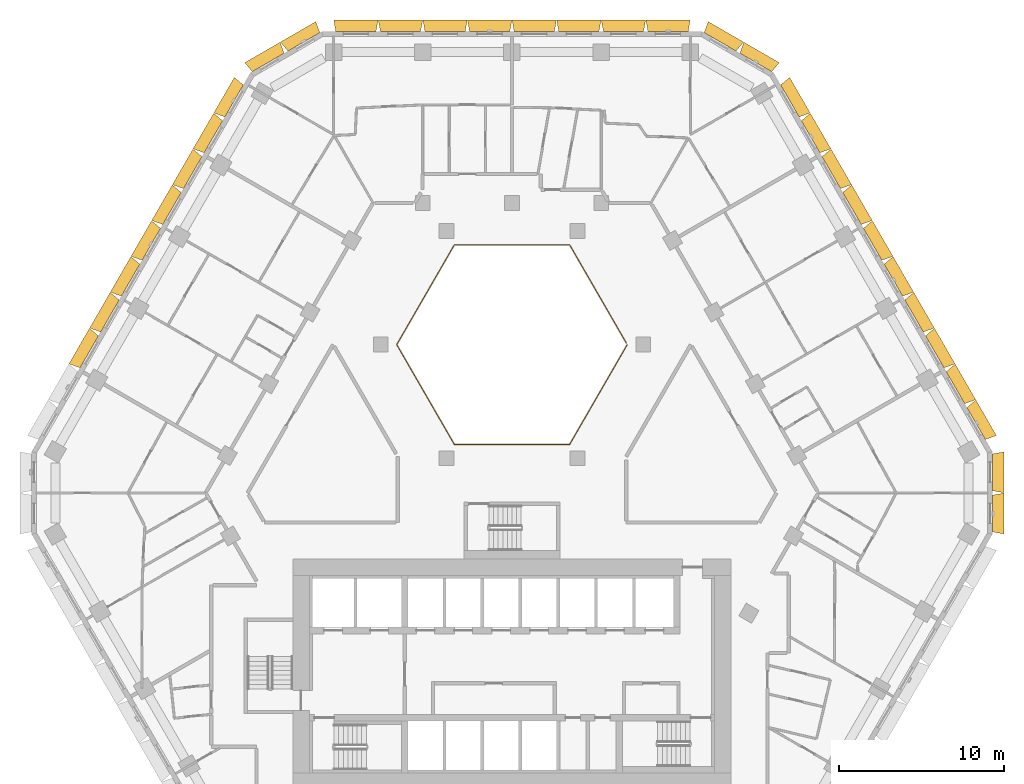
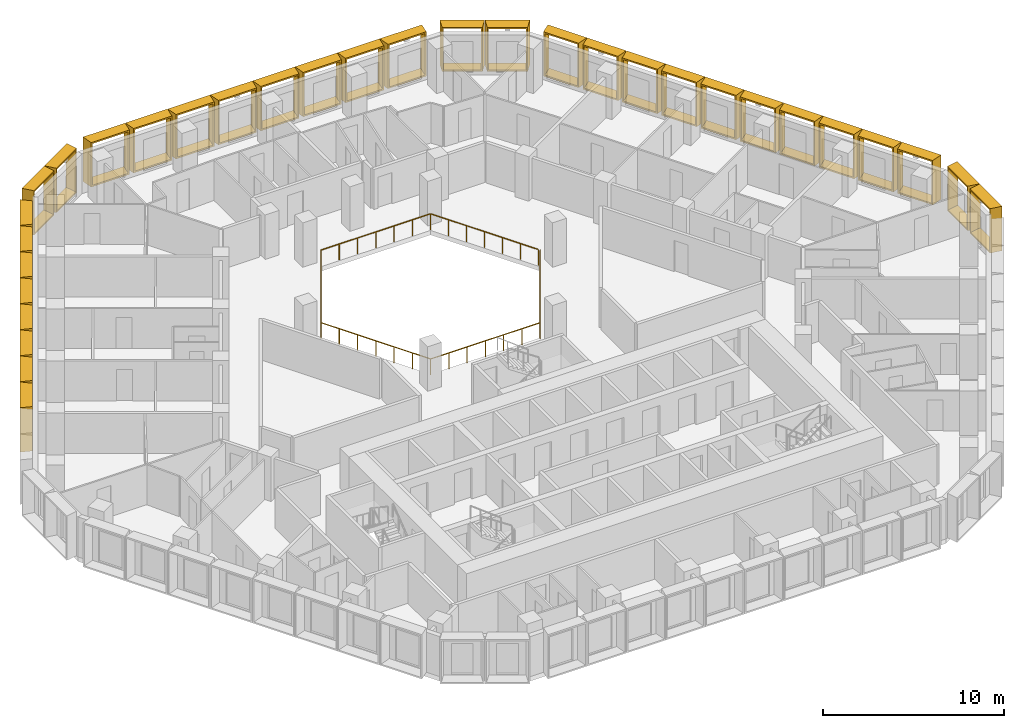
# One storey, part 18 of 18: 32 shading devices, 1 railing.
"""IFC4 building model written with IfcOpenShell, lengths in metres."""

from ifc_helpers import new_model, entity, si_unit, direction, frame, origin, origin_2d, place, context, subcontext, project, spatial, rectangle, extrude, source, transform, mapped, material, type_object, type_shapes, element, save


model = new_model("IFC4")

# Units and contexts
model_context = context("Model", 3, precision=1e-05, world=origin(), true_north=direction((0.0, 1.0)))
body_context = subcontext(model_context, "Body", "Model", "MODEL_VIEW")
ifc_project = project(units=[si_unit("LENGTHUNIT", "METRE"), si_unit("AREAUNIT", "SQUARE_METRE"), si_unit("VOLUMEUNIT", "CUBIC_METRE"), si_unit("PLANEANGLEUNIT", "RADIAN"), si_unit("MASSUNIT", "GRAM", prefix="KILO")], contexts=[model_context])

# Site, building, storey
site_placement = place(None, origin())
site = spatial("IfcSite", under=ifc_project, at=site_placement, CompositionType="ELEMENT")
building_placement = place(site_placement, origin())
building = spatial("IfcBuilding", under=site, at=building_placement, Name="Beryl Residences", CompositionType="ELEMENT")
storey_placement = place(building_placement, frame((0.0, 0.0, 87.0)))
storey = spatial("IfcBuildingStorey", under=building, at=storey_placement, Name="L26", CompositionType="ELEMENT", Elevation=87.0)

# Railing
ifc_material_1 = material(Name="Stainless steel balustrade with glass infill", Category="steel")
railing_type = type_object("IfcRailingType", Name="EG1 edge guard 1100 mm", PredefinedType="GUARDRAIL", material=ifc_material_1)
railing_placement = place(storey_placement, frame((6.9970703125, 8.0, 0.0)))
element("IfcRailing", 1, at=railing_placement, inside=storey, type_object=railing_type, Name="L26 atrium guard", PredefinedType="GUARDRAIL", context=body_context, shape_type="SweptSolid", body=[
    extrude(rectangle(XDim=0.048095703125, YDim=0.048095703125, at=origin_2d()), frame((0.0, 0.0, 1.076171875), z_axis=(-0.499921796684, -0.866070549782, 0.0), x_axis=(0.866070549782, -0.499921796684, 0.0)), (0.0, 0.0, 1.0), 6.9970703125),
    extrude(rectangle(XDim=0.048095703125, YDim=0.048095703125, at=origin_2d()), frame((-3.498046875, -6.06005859375, 1.076171875), z_axis=(-1.0, 0.0, 0.0), x_axis=(0.0, -1.0, 0.0)), (0.0, 0.0, 1.0), 6.998046875),
    extrude(rectangle(XDim=0.048095703125, YDim=0.048095703125, at=origin_2d()), frame((-10.49609375, -6.06005859375, 1.076171875), z_axis=(-0.499921796684, 0.866070549782, 0.0), x_axis=(-0.866070549782, -0.499921796684, 0.0)), (0.0, 0.0, 1.0), 6.9970703125),
    extrude(rectangle(XDim=0.048095703125, YDim=0.048095703125, at=origin_2d()), frame((-13.994140625, 0.0, 1.076171875), z_axis=(0.499921796684, 0.866070549782, 0.0), x_axis=(-0.866070549782, 0.499921796684, 0.0)), (0.0, 0.0, 1.0), 6.9970703125),
    extrude(rectangle(XDim=0.048095703125, YDim=0.048095703125, at=origin_2d()), frame((-10.49609375, 6.06005859375, 1.076171875), z_axis=(1.0, 0.0, 0.0), x_axis=(0.0, 1.0, 0.0)), (0.0, 0.0, 1.0), 6.998046875),
    extrude(rectangle(XDim=0.048095703125, YDim=0.048095703125, at=origin_2d()), frame((-3.498046875, 6.06005859375, 1.076171875), z_axis=(0.499919131929, -0.866072087953, 0.0), x_axis=(0.866072087953, 0.499919131929, 0.0)), (0.0, 0.0, 1.0), 6.877197265625),
    extrude(rectangle(XDim=0.0419921875, YDim=0.0419921875, at=origin_2d()), origin(), (0.0, 0.0, 1.0), 1.052001953125),
    extrude(rectangle(XDim=0.0419921875, YDim=0.0419921875, at=origin_2d()), frame((-0.5830078125, -1.010009765625, 0.0)), (0.0, 0.0, 1.0), 1.052001953125),
    extrude(rectangle(XDim=0.0419921875, YDim=0.0419921875, at=origin_2d()), frame((-1.166015625, -2.02001953125, 0.0)), (0.0, 0.0, 1.0), 1.052001953125),
    extrude(rectangle(XDim=0.0419921875, YDim=0.0419921875, at=origin_2d()), frame((-1.7490234375, -3.030029296875, 0.0)), (0.0, 0.0, 1.0), 1.052001953125),
    extrude(rectangle(XDim=0.0419921875, YDim=0.0419921875, at=origin_2d()), frame((-2.33203125, -4.0400390625, 0.0)), (0.0, 0.0, 1.0), 1.052001953125),
    extrude(rectangle(XDim=0.0419921875, YDim=0.0419921875, at=origin_2d()), frame((-2.9150390625, -5.050048828125, 0.0)), (0.0, 0.0, 1.0), 1.052001953125),
    extrude(rectangle(XDim=0.0419921875, YDim=0.0419921875, at=origin_2d()), frame((-3.498046875, -6.06005859375, 0.0)), (0.0, 0.0, 1.0), 1.052001953125),
    extrude(rectangle(XDim=0.0419921875, YDim=0.0419921875, at=origin_2d()), frame((-4.664306640625, -6.06005859375, 0.0)), (0.0, 0.0, 1.0), 1.052001953125),
    extrude(rectangle(XDim=0.0419921875, YDim=0.0419921875, at=origin_2d()), frame((-5.830810546875, -6.06005859375, 0.0)), (0.0, 0.0, 1.0), 1.052001953125),
    extrude(rectangle(XDim=0.0419921875, YDim=0.0419921875, at=origin_2d()), frame((-6.9970703125, -6.06005859375, 0.0)), (0.0, 0.0, 1.0), 1.052001953125),
    extrude(rectangle(XDim=0.0419921875, YDim=0.0419921875, at=origin_2d()), frame((-8.163330078125, -6.06005859375, 0.0)), (0.0, 0.0, 1.0), 1.052001953125),
    extrude(rectangle(XDim=0.0419921875, YDim=0.0419921875, at=origin_2d()), frame((-9.329833984375, -6.06005859375, 0.0)), (0.0, 0.0, 1.0), 1.052001953125),
    extrude(rectangle(XDim=0.0419921875, YDim=0.0419921875, at=origin_2d()), frame((-10.49609375, -6.06005859375, 0.0)), (0.0, 0.0, 1.0), 1.052001953125),
    extrude(rectangle(XDim=0.0419921875, YDim=0.0419921875, at=origin_2d()), frame((-11.0791015625, -5.050048828125, 0.0)), (0.0, 0.0, 1.0), 1.052001953125),
    extrude(rectangle(XDim=0.0419921875, YDim=0.0419921875, at=origin_2d()), frame((-11.662109375, -4.0400390625, 0.0)), (0.0, 0.0, 1.0), 1.052001953125),
    extrude(rectangle(XDim=0.0419921875, YDim=0.0419921875, at=origin_2d()), frame((-12.2451171875, -3.030029296875, 0.0)), (0.0, 0.0, 1.0), 1.052001953125),
    extrude(rectangle(XDim=0.0419921875, YDim=0.0419921875, at=origin_2d()), frame((-12.828125, -2.02001953125, 0.0)), (0.0, 0.0, 1.0), 1.052001953125),
    extrude(rectangle(XDim=0.0419921875, YDim=0.0419921875, at=origin_2d()), frame((-13.4111328125, -1.010009765625, 0.0)), (0.0, 0.0, 1.0), 1.052001953125),
    extrude(rectangle(XDim=0.0419921875, YDim=0.0419921875, at=origin_2d()), frame((-13.994140625, 0.0, 0.0)), (0.0, 0.0, 1.0), 1.052001953125),
    extrude(rectangle(XDim=0.0419921875, YDim=0.0419921875, at=origin_2d()), frame((-13.4111328125, 1.010009765625, 0.0)), (0.0, 0.0, 1.0), 1.052001953125),
    extrude(rectangle(XDim=0.0419921875, YDim=0.0419921875, at=origin_2d()), frame((-12.828125, 2.02001953125, 0.0)), (0.0, 0.0, 1.0), 1.052001953125),
    extrude(rectangle(XDim=0.0419921875, YDim=0.0419921875, at=origin_2d()), frame((-12.2451171875, 3.030029296875, 0.0)), (0.0, 0.0, 1.0), 1.052001953125),
    extrude(rectangle(XDim=0.0419921875, YDim=0.0419921875, at=origin_2d()), frame((-11.662109375, 4.0400390625, 0.0)), (0.0, 0.0, 1.0), 1.052001953125),
    extrude(rectangle(XDim=0.0419921875, YDim=0.0419921875, at=origin_2d()), frame((-11.0791015625, 5.050048828125, 0.0)), (0.0, 0.0, 1.0), 1.052001953125),
    extrude(rectangle(XDim=0.0419921875, YDim=0.0419921875, at=origin_2d()), frame((-10.49609375, 6.06005859375, 0.0)), (0.0, 0.0, 1.0), 1.052001953125),
    extrude(rectangle(XDim=0.0419921875, YDim=0.0419921875, at=origin_2d()), frame((-9.329833984375, 6.06005859375, 0.0)), (0.0, 0.0, 1.0), 1.052001953125),
    extrude(rectangle(XDim=0.0419921875, YDim=0.0419921875, at=origin_2d()), frame((-8.163330078125, 6.06005859375, 0.0)), (0.0, 0.0, 1.0), 1.052001953125),
    extrude(rectangle(XDim=0.0419921875, YDim=0.0419921875, at=origin_2d()), frame((-6.9970703125, 6.06005859375, 0.0)), (0.0, 0.0, 1.0), 1.052001953125),
    extrude(rectangle(XDim=0.0419921875, YDim=0.0419921875, at=origin_2d()), frame((-5.830810546875, 6.06005859375, 0.0)), (0.0, 0.0, 1.0), 1.052001953125),
    extrude(rectangle(XDim=0.0419921875, YDim=0.0419921875, at=origin_2d()), frame((-4.664306640625, 6.06005859375, 0.0)), (0.0, 0.0, 1.0), 1.052001953125),
    extrude(rectangle(XDim=0.0419921875, YDim=0.0419921875, at=origin_2d()), frame((-3.498046875, 6.06005859375, 0.0)), (0.0, 0.0, 1.0), 1.052001953125),
    extrude(rectangle(XDim=0.0419921875, YDim=0.0419921875, at=origin_2d()), frame((-2.925048828125, 5.0673828125, 0.0)), (0.0, 0.0, 1.0), 1.052001953125),
    extrude(rectangle(XDim=0.0419921875, YDim=0.0419921875, at=origin_2d()), frame((-2.35205078125, 4.07470703125, 0.0)), (0.0, 0.0, 1.0), 1.052001953125),
    extrude(rectangle(XDim=0.0419921875, YDim=0.0419921875, at=origin_2d()), frame((-1.779052734375, 3.08203125, 0.0)), (0.0, 0.0, 1.0), 1.052001953125),
    extrude(rectangle(XDim=0.0419921875, YDim=0.0419921875, at=origin_2d()), frame((-1.2060546875, 2.08935546875, 0.0)), (0.0, 0.0, 1.0), 1.052001953125),
    extrude(rectangle(XDim=0.0419921875, YDim=0.0419921875, at=origin_2d()), frame((-0.633056640625, 1.0966796875, 0.0)), (0.0, 0.0, 1.0), 1.052001953125),
    extrude(rectangle(XDim=0.0419921875, YDim=0.0419921875, at=origin_2d()), frame((-0.06005859375, 0.10400390625, 0.0)), (0.0, 0.0, 1.0), 1.052001953125),
])

# Shading devices
ifc_material_2 = material(Name="Aluminium pale anodised", Category="aluminium")
shading_device_type_1 = type_object("IfcShadingDeviceType", Name="FR250-70A OUTER SKIN frame 700 mm deep, splay 10/10 deg, 2500 x 3000 mm cell", PredefinedType="USERDEFINED", material=ifc_material_2)
cartesian_point_1 = entity("IfcCartesianPoint", [-1.116455078125, 0.0])
cartesian_point_2 = entity("IfcCartesianPoint", [-1.03515625, 0.10009765625])
cartesian_point_3 = entity("IfcCartesianPoint", [-1.239990234375, 0.0])
cartesian_point_4 = entity("IfcCartesianPoint", [-1.15869140625, 0.10009765625])
shared_shape_1 = source(origin(), body_context, "Body", "SweptSolid", [
    entity("IfcExtrudedAreaSolidTapered", entity("IfcArbitraryProfileDefWithVoids", "AREA", None, entity("IfcPolyline", [cartesian_point_1, entity("IfcCartesianPoint", [1.116455078125, 0.0]), entity("IfcCartesianPoint", [1.116455078125, 3.0]), entity("IfcCartesianPoint", [-1.116455078125, 3.0]), cartesian_point_1]), [entity("IfcPolyline", [cartesian_point_2, entity("IfcCartesianPoint", [1.03515625, 0.10009765625]), entity("IfcCartesianPoint", [1.03515625, 2.89990234375]), entity("IfcCartesianPoint", [-1.03515625, 2.89990234375]), cartesian_point_2])]), entity("IfcAxis2Placement3D", entity("IfcCartesianPoint", [0.0, 0.0, 0.0]), entity("IfcDirection", [0.0, 1.0, 0.0]), entity("IfcDirection", [-1.0, 0.0, 0.0])), entity("IfcDirection", [0.0, 0.0, 1.0]), 0.699951171875, entity("IfcArbitraryProfileDefWithVoids", "AREA", None, entity("IfcPolyline", [cartesian_point_3, entity("IfcCartesianPoint", [1.239990234375, 0.0]), entity("IfcCartesianPoint", [1.239990234375, 3.0]), entity("IfcCartesianPoint", [-1.239990234375, 3.0]), cartesian_point_3]), [entity("IfcPolyline", [cartesian_point_4, entity("IfcCartesianPoint", [1.15869140625, 0.10009765625]), entity("IfcCartesianPoint", [1.15869140625, 2.89990234375]), entity("IfcCartesianPoint", [-1.15869140625, 2.89990234375]), cartesian_point_4])])),
])
type_shapes(shading_device_type_1, [shared_shape_1])
for number, where, z_axis, x_axis, name in (
    (2, (-12.6298828125, 26.375, 0.0), (0.0, 0.0, 1.0), (0.866025403784, 0.5, 0.0), "FR250-70A frame L26 N-NW 1"),
    (3, (-14.7939453125, 25.125, 0.0), (0.0, 0.0, 1.0), (0.866025403784, 0.5, 0.0), "FR250-70A frame L26 N-NW 2"),
    (4, (29.156982421875, -2.25, 0.0), (0.0, 0.0, 1.0), (0.0, -1.0, 0.0), "FR250-70A frame L26 SE-NE 1"),
    (5, (29.156982421875, 0.25, 0.0), (0.0, 0.0, 1.0), (0.0, -1.0, 0.0), "FR250-70A frame L26 SE-NE 2"),
    (6, (14.7939453125, 25.125, 0.0), (0.0, 0.0, 1.0), (0.866025403784, -0.5, 0.0), "FR250-70A frame L26 NE-N 1"),
    (7, (12.6298828125, 26.375, 0.0), (0.0, 0.0, 1.0), (0.866025403784, -0.5, 0.0), "FR250-70A frame L26 NE-N 2"),
):
    element("IfcShadingDevice", number, at=place(storey_placement, frame(where, z_axis=z_axis, x_axis=x_axis)), inside=storey, type_object=shading_device_type_1, Name=name, ObjectType="OUTER SKIN", PredefinedType="USERDEFINED", context=body_context, shape_type="MappedRepresentation", body=[
        mapped(shared_shape_1, transform((0.0, 0.0, 0.0))),
    ])
ifc_material_3 = material(Name="Aluminium pale anodised", Category="aluminium")
shading_device_type_2 = type_object("IfcShadingDeviceType", Name="FR251-70A OUTER SKIN frame 700 mm deep, splay 10/10 deg, 2510 x 3000 mm cell", PredefinedType="USERDEFINED", material=ifc_material_3)
cartesian_point_5 = entity("IfcCartesianPoint", [-1.12158203125, 0.0])
cartesian_point_6 = entity("IfcCartesianPoint", [-1.040283203125, 0.10009765625])
cartesian_point_7 = entity("IfcCartesianPoint", [-1.244873046875, 0.0])
cartesian_point_8 = entity("IfcCartesianPoint", [-1.16357421875, 0.10009765625])
shared_shape_2 = source(origin(), body_context, "Body", "SweptSolid", [
    entity("IfcExtrudedAreaSolidTapered", entity("IfcArbitraryProfileDefWithVoids", "AREA", None, entity("IfcPolyline", [cartesian_point_5, entity("IfcCartesianPoint", [1.12158203125, 0.0]), entity("IfcCartesianPoint", [1.12158203125, 3.0]), entity("IfcCartesianPoint", [-1.12158203125, 3.0]), cartesian_point_5]), [entity("IfcPolyline", [cartesian_point_6, entity("IfcCartesianPoint", [1.040283203125, 0.10009765625]), entity("IfcCartesianPoint", [1.040283203125, 2.89990234375]), entity("IfcCartesianPoint", [-1.040283203125, 2.89990234375]), cartesian_point_6])]), entity("IfcAxis2Placement3D", entity("IfcCartesianPoint", [0.0, 0.0, 0.0]), entity("IfcDirection", [0.0, 1.0, 0.0]), entity("IfcDirection", [-1.0, 0.0, 0.0])), entity("IfcDirection", [0.0, 0.0, 1.0]), 0.699951171875, entity("IfcArbitraryProfileDefWithVoids", "AREA", None, entity("IfcPolyline", [cartesian_point_7, entity("IfcCartesianPoint", [1.244873046875, 0.0]), entity("IfcCartesianPoint", [1.244873046875, 3.0]), entity("IfcCartesianPoint", [-1.244873046875, 3.0]), cartesian_point_7]), [entity("IfcPolyline", [cartesian_point_8, entity("IfcCartesianPoint", [1.16357421875, 0.10009765625]), entity("IfcCartesianPoint", [1.16357421875, 2.89990234375]), entity("IfcCartesianPoint", [-1.16357421875, 2.89990234375]), cartesian_point_8])])),
])
type_shapes(shading_device_type_2, [shared_shape_2])
for number, where, z_axis, x_axis, name in (
    (8, (-16.865966796875, 22.7880859375, 0.0), (0.0, 0.0, 1.0), (0.5, 0.866025403784, 0.0), "FR251-70A frame L26 NW 1"),
    (9, (-18.1220703125, 20.613037109375, 0.0), (0.0, 0.0, 1.0), (0.5, 0.866025403784, 0.0), "FR251-70A frame L26 NW 2"),
    (10, (-19.376953125, 18.43798828125, 0.0), (0.0, 0.0, 1.0), (0.5, 0.866025403784, 0.0), "FR251-70A frame L26 NW 3"),
    (11, (-20.633056640625, 16.262939453125, 0.0), (0.0, 0.0, 1.0), (0.5, 0.866025403784, 0.0), "FR251-70A frame L26 NW 4"),
    (12, (-21.888916015625, 14.087890625, 0.0), (0.0, 0.0, 1.0), (0.5, 0.866025403784, 0.0), "FR251-70A frame L26 NW 5"),
    (13, (-23.14501953125, 11.9130859375, 0.0), (0.0, 0.0, 1.0), (0.5, 0.866025403784, 0.0), "FR251-70A frame L26 NW 6"),
    (14, (-24.39990234375, 9.738037109375, 0.0), (0.0, 0.0, 1.0), (0.5, 0.866025403784, 0.0), "FR251-70A frame L26 NW 7"),
    (15, (-25.656005859375, 7.56298828125, 0.0), (0.0, 0.0, 1.0), (0.5, 0.866025403784, 0.0), "FR251-70A frame L26 NW 8"),
    (16, (28.16796875, 3.2119140625, 0.0), (0.0, 0.0, 1.0), (0.5, -0.866025403784, 0.0), "FR251-70A frame L26 NE 1"),
    (17, (26.912109375, 5.386962890625, 0.0), (0.0, 0.0, 1.0), (0.5, -0.866025403784, 0.0), "FR251-70A frame L26 NE 2"),
    (18, (25.656982421875, 7.56201171875, 0.0), (0.0, 0.0, 1.0), (0.5, -0.866025403784, 0.0), "FR251-70A frame L26 NE 3"),
    (19, (24.40087890625, 9.737060546875, 0.0), (0.0, 0.0, 1.0), (0.5, -0.866025403784, 0.0), "FR251-70A frame L26 NE 4"),
    (20, (23.14501953125, 11.912109375, 0.0), (0.0, 0.0, 1.0), (0.5, -0.866025403784, 0.0), "FR251-70A frame L26 NE 5"),
    (21, (21.888916015625, 14.0869140625, 0.0), (0.0, 0.0, 1.0), (0.5, -0.866025403784, 0.0), "FR251-70A frame L26 NE 6"),
    (22, (20.634033203125, 16.261962890625, 0.0), (0.0, 0.0, 1.0), (0.5, -0.866025403784, 0.0), "FR251-70A frame L26 NE 7"),
    (23, (19.3779296875, 18.43701171875, 0.0), (0.0, 0.0, 1.0), (0.5, -0.866025403784, 0.0), "FR251-70A frame L26 NE 8"),
    (24, (18.1220703125, 20.612060546875, 0.0), (0.0, 0.0, 1.0), (0.5, -0.866025403784, 0.0), "FR251-70A frame L26 NE 9"),
    (25, (16.865966796875, 22.787109375, 0.0), (0.0, 0.0, 1.0), (0.5, -0.866025403784, 0.0), "FR251-70A frame L26 NE 10"),
):
    element("IfcShadingDevice", number, at=place(storey_placement, frame(where, z_axis=z_axis, x_axis=x_axis)), inside=storey, type_object=shading_device_type_2, Name=name, ObjectType="OUTER SKIN", PredefinedType="USERDEFINED", context=body_context, shape_type="MappedRepresentation", body=[
        mapped(shared_shape_2, transform((0.0, 0.0, 0.0))),
    ])
ifc_material_4 = material(Name="Aluminium pale anodised", Category="aluminium")
shading_device_type_3 = type_object("IfcShadingDeviceType", Name="FR271-70A OUTER SKIN frame 700 mm deep, splay 10/10 deg, 2710 x 3000 mm cell", PredefinedType="USERDEFINED", material=ifc_material_4)
cartesian_point_9 = entity("IfcCartesianPoint", [-1.221435546875, 0.0])
cartesian_point_10 = entity("IfcCartesianPoint", [-1.140380859375, 0.10009765625])
cartesian_point_11 = entity("IfcCartesianPoint", [-1.344970703125, 0.0])
cartesian_point_12 = entity("IfcCartesianPoint", [-1.263671875, 0.10009765625])
shared_shape_3 = source(origin(), body_context, "Body", "SweptSolid", [
    entity("IfcExtrudedAreaSolidTapered", entity("IfcArbitraryProfileDefWithVoids", "AREA", None, entity("IfcPolyline", [cartesian_point_9, entity("IfcCartesianPoint", [1.221435546875, 0.0]), entity("IfcCartesianPoint", [1.221435546875, 3.0]), entity("IfcCartesianPoint", [-1.221435546875, 3.0]), cartesian_point_9]), [entity("IfcPolyline", [cartesian_point_10, entity("IfcCartesianPoint", [1.140380859375, 0.10009765625]), entity("IfcCartesianPoint", [1.140380859375, 2.89990234375]), entity("IfcCartesianPoint", [-1.140380859375, 2.89990234375]), cartesian_point_10])]), entity("IfcAxis2Placement3D", entity("IfcCartesianPoint", [0.0, 0.0, 0.0]), entity("IfcDirection", [0.0, 1.0, 0.0]), entity("IfcDirection", [-1.0, 0.0, 0.0])), entity("IfcDirection", [0.0, 0.0, 1.0]), 0.699951171875, entity("IfcArbitraryProfileDefWithVoids", "AREA", None, entity("IfcPolyline", [cartesian_point_11, entity("IfcCartesianPoint", [1.344970703125, 0.0]), entity("IfcCartesianPoint", [1.344970703125, 3.0]), entity("IfcCartesianPoint", [-1.344970703125, 3.0]), cartesian_point_11]), [entity("IfcPolyline", [cartesian_point_12, entity("IfcCartesianPoint", [1.263671875, 0.10009765625]), entity("IfcCartesianPoint", [1.263671875, 2.89990234375]), entity("IfcCartesianPoint", [-1.263671875, 2.89990234375]), cartesian_point_12])])),
])
type_shapes(shading_device_type_3, [shared_shape_3])
for number, where, z_axis, x_axis, name in (
    (26, (9.471923828125, 27.0, 0.0), (0.0, 0.0, 1.0), (1.0, 0.0, 0.0), "FR271-70A frame L26 N 1"),
    (27, (6.764892578125, 27.0, 0.0), (0.0, 0.0, 1.0), (1.0, 0.0, 0.0), "FR271-70A frame L26 N 2"),
    (28, (4.05908203125, 27.0, 0.0), (0.0, 0.0, 1.0), (1.0, 0.0, 0.0), "FR271-70A frame L26 N 3"),
    (29, (1.35205078125, 27.0, 0.0), (0.0, 0.0, 1.0), (1.0, 0.0, 0.0), "FR271-70A frame L26 N 4"),
    (30, (-1.35400390625, 27.0, 0.0), (0.0, 0.0, 1.0), (1.0, 0.0, 0.0), "FR271-70A frame L26 N 5"),
    (31, (-4.06103515625, 27.0, 0.0), (0.0, 0.0, 1.0), (1.0, 0.0, 0.0), "FR271-70A frame L26 N 6"),
    (32, (-6.76708984375, 27.0, 0.0), (0.0, 0.0, 1.0), (1.0, 0.0, 0.0), "FR271-70A frame L26 N 7"),
    (33, (-9.47412109375, 27.0, 0.0), (0.0, 0.0, 1.0), (1.0, 0.0, 0.0), "FR271-70A frame L26 N 8"),
):
    element("IfcShadingDevice", number, at=place(storey_placement, frame(where, z_axis=z_axis, x_axis=x_axis)), inside=storey, type_object=shading_device_type_3, Name=name, ObjectType="OUTER SKIN", PredefinedType="USERDEFINED", context=body_context, shape_type="MappedRepresentation", body=[
        mapped(shared_shape_3, transform((0.0, 0.0, 0.0))),
    ])

save(model, "model.ifc")
